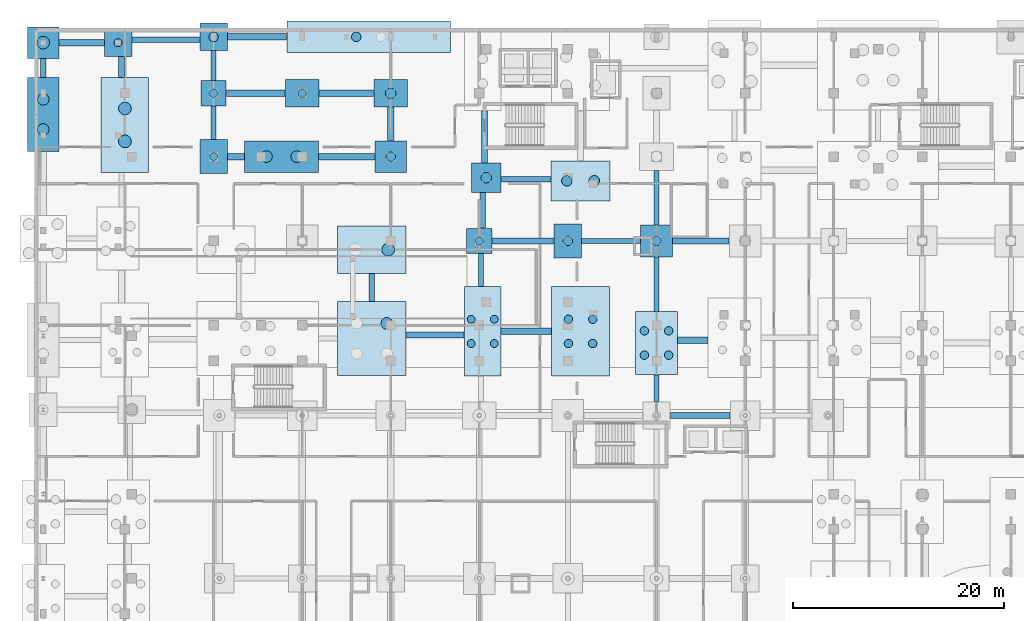
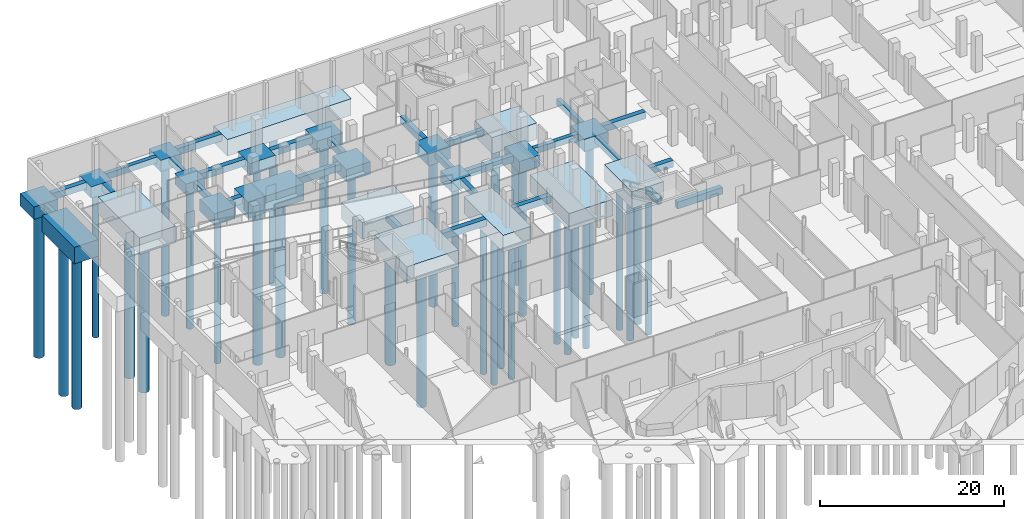
# One storey, part 4 of 45: 49 footings, 35 piles.
"""IFC4 building model written with IfcOpenShell, lengths in metres."""

from ifc_helpers import new_model, si_unit, direction, frame, origin, origin_2d, place, context, subcontext, project, spatial, rectangle, circle, extrude, material, material_profile, profile_set, type_object, element, save


model = new_model("IFC4")

# Units and contexts
model_context = context("Model", 3, precision=1e-05, world=origin(), true_north=direction((0.0, 1.0)))
body_context = subcontext(model_context, "Body", "Model", "MODEL_VIEW")
ifc_project = project(units=[si_unit("LENGTHUNIT", "METRE"), si_unit("AREAUNIT", "SQUARE_METRE"), si_unit("VOLUMEUNIT", "CUBIC_METRE"), si_unit("PLANEANGLEUNIT", "RADIAN"), si_unit("MASSUNIT", "GRAM", prefix="KILO")], contexts=[model_context])

# Site, building, storey
site_placement = place(None, origin())
site = spatial("IfcSite", under=ifc_project, at=site_placement, CompositionType="ELEMENT")
building_placement = place(site_placement, origin())
building = spatial("IfcBuilding", under=site, at=building_placement, Name="Selatvlak General Hospital", CompositionType="ELEMENT")
storey_placement = place(building_placement, frame((0.0, 0.0, -4.800048828125)))
storey = spatial("IfcBuildingStorey", under=building, at=storey_placement, Name="B1", CompositionType="ELEMENT", Elevation=-4.800048828125)

# Footings
ifc_material_1 = material(Name="Concrete C40/50", Category="concrete")
footing_type_1 = type_object("IfcFootingType", Name="FTG-PC-01", PredefinedType="PILE_CAP", material=ifc_material_1)
for number, where, z_axis, x_axis, name in (
    (1, (22.800048828125, 114.0, -1.39990234375), (0.0, 0.0, 1.0), (1.0, 0.0, 0.0), "Pile cap CAP-024"),
    (2, (48.0, 100.0, -1.39990234375), (0.0, 0.0, 1.0), (1.0, 0.0, 0.0), "Pile cap CAP-054"),
):
    element("IfcFooting", number, at=place(storey_placement, frame(where, z_axis=z_axis, x_axis=x_axis)), inside=storey, type_object=footing_type_1, Name=name, PredefinedType="PILE_CAP", context=body_context, shape_type="SweptSolid", body=[
        extrude(rectangle(XDim=2.39990234375, YDim=2.39990234375, at=origin_2d()), origin(), (0.0, 0.0, 1.0), 1.39990234375),
    ])
footing_type_2 = type_object("IfcFootingType", Name="FTG-PC-02", PredefinedType="PILE_CAP", material=ifc_material_1)
for number, where, z_axis, x_axis, name in (
    (3, (13.75, 118.800048828125, -1.5), (0.0, 0.0, 1.0), (1.0, 0.0, 0.0), "Pile cap CAP-013"),
    (4, (22.800048828125, 119.35009765625, -1.5), (0.0, 0.0, 1.0), (1.0, 0.0, 0.0), "Pile cap CAP-025"),
):
    element("IfcFooting", number, at=place(storey_placement, frame(where, z_axis=z_axis, x_axis=x_axis)), inside=storey, type_object=footing_type_2, Name=name, PredefinedType="PILE_CAP", context=body_context, shape_type="SweptSolid", body=[
        extrude(rectangle(XDim=2.60009765625, YDim=2.60009765625, at=origin_2d()), origin(), (0.0, 0.0, 1.0), 1.5),
    ])
footing_type_3 = type_object("IfcFootingType", Name="FTG-PC-03", PredefinedType="PILE_CAP", material=ifc_material_1)
footing_1_placement = place(storey_placement, frame((48.64990234375, 106.0, -1.60009765625), z_axis=(0.0, 0.0, 1.0), x_axis=(1.0, 0.0, 0.0)))
element("IfcFooting", 5, at=footing_1_placement, inside=storey, type_object=footing_type_3, Name="Pile cap CAP-056", PredefinedType="PILE_CAP", context=body_context, shape_type="SweptSolid", body=[
    extrude(rectangle(XDim=2.800048828125, YDim=2.800048828125, at=origin_2d()), origin(), (0.0, 0.0, 1.0), 1.60009765625),
])
footing_type_4 = type_object("IfcFootingType", Name="FTG-PC-04", PredefinedType="PILE_CAP", material=ifc_material_1)
for number, where, z_axis, x_axis, name in (
    (6, (6.64990234375, 118.800048828125, -1.64990234375), (0.0, 0.0, 1.0), (1.0, 0.0, 0.0), "Pile cap CAP-009"),
    (7, (39.60009765625, 108.0, -1.64990234375), (0.0, 0.0, 1.0), (1.0, 0.0, 0.0), "Pile cap CAP-045"),
    (8, (64.800048828125, 100.0, -1.64990234375), (0.0, 0.0, 1.0), (1.0, 0.0, 0.0), "Pile cap CAP-075"),
):
    element("IfcFooting", number, at=place(storey_placement, frame(where, z_axis=z_axis, x_axis=x_axis)), inside=storey, type_object=footing_type_4, Name=name, PredefinedType="PILE_CAP", context=body_context, shape_type="SweptSolid", body=[
        extrude(rectangle(XDim=3.0, YDim=3.0, at=origin_2d()), origin(), (0.0, 0.0, 1.0), 1.64990234375),
    ])
footing_type_5 = type_object("IfcFootingType", Name="FTG-PC-05", PredefinedType="PILE_CAP", material=ifc_material_1)
for number, where, z_axis, x_axis, name in (
    (9, (31.199951171875, 114.0, -1.5498046875), (0.0, 0.0, 1.0), (1.0, 0.0, 0.0), "Pile cap CAP-034"),
    (10, (39.60009765625, 114.0, -1.5498046875), (0.0, 0.0, 1.0), (1.0, 0.0, 0.0), "Pile cap CAP-046"),
):
    element("IfcFooting", number, at=place(storey_placement, frame(where, z_axis=z_axis, x_axis=x_axis)), inside=storey, type_object=footing_type_5, Name=name, PredefinedType="PILE_CAP", context=body_context, shape_type="SweptSolid", body=[
        extrude(rectangle(XDim=3.199951171875, YDim=2.60009765625, at=origin_2d()), origin(), (0.0, 0.0, 1.0), 1.550048828125),
    ])
footing_type_6 = type_object("IfcFootingType", Name="FTG-PC-06", PredefinedType="PILE_CAP", material=ifc_material_1)
for number, where, z_axis, x_axis, name in (
    (11, (22.800048828125, 108.0, -1.5498046875), (0.0, 0.0, 1.0), (1.0, 0.0, 0.0), "Pile cap CAP-023"),
    (12, (56.39990234375, 100.0, -1.5498046875), (0.0, 0.0, 1.0), (1.0, 0.0, 0.0), "Pile cap CAP-065"),
):
    element("IfcFooting", number, at=place(storey_placement, frame(where, z_axis=z_axis, x_axis=x_axis)), inside=storey, type_object=footing_type_6, Name=name, PredefinedType="PILE_CAP", context=body_context, shape_type="SweptSolid", body=[
        extrude(rectangle(XDim=2.60009765625, YDim=3.199951171875, at=origin_2d()), origin(), (0.0, 0.0, 1.0), 1.550048828125),
    ])
footing_type_7 = type_object("IfcFootingType", Name="FTG-PC-18", PredefinedType="PILE_CAP", material=ifc_material_1)
footing_2_placement = place(storey_placement, frame((57.60009765625, 105.699951171875, -2.14990234375), z_axis=(0.0, 0.0, 1.0), x_axis=(1.0, 0.0, 0.0)))
element("IfcFooting", 13, at=footing_2_placement, inside=storey, type_object=footing_type_7, Name="Pile cap CAP-066", PredefinedType="PILE_CAP", context=body_context, shape_type="SweptSolid", body=[
    extrude(rectangle(XDim=5.60009765625, YDim=3.800048828125, at=origin_2d()), origin(), (0.0, 0.0, 1.0), 2.14990234375),
])
footing_type_8 = type_object("IfcFootingType", Name="FTG-PC-20", PredefinedType="PILE_CAP", material=ifc_material_1)
footing_3_placement = place(storey_placement, frame((64.800048828125, 90.324951171875, -2.19970703125), z_axis=(0.0, 0.0, 1.0), x_axis=(1.0, 0.0, 0.0)))
element("IfcFooting", 14, at=footing_3_placement, inside=storey, type_object=footing_type_8, Name="Pile cap CAP-074", PredefinedType="PILE_CAP", context=body_context, shape_type="SweptSolid", body=[
    extrude(rectangle(XDim=4.0, YDim=6.0, at=origin_2d()), origin(), (0.0, 0.0, 1.0), 2.199951171875),
])
footing_type_9 = type_object("IfcFootingType", Name="FTG-PC-M08", PredefinedType="PILE_CAP", material=ifc_material_1)
footing_4_placement = place(storey_placement, frame((6.64990234375, 112.0, -2.19970703125), z_axis=(0.0, 0.0, 1.0), x_axis=(1.0, 0.0, 0.0)))
element("IfcFooting", 15, at=footing_4_placement, inside=storey, type_object=footing_type_9, Name="Pile cap CAP-008", PredefinedType="PILE_CAP", context=body_context, shape_type="SweptSolid", body=[
    extrude(rectangle(XDim=3.0, YDim=7.0, at=origin_2d()), origin(), (0.0, 0.0, 1.0), 2.199951171875),
])
footing_type_10 = type_object("IfcFootingType", Name="FTG-PC-M12", PredefinedType="PILE_CAP", material=ifc_material_1)
footing_5_placement = place(storey_placement, frame((14.39990234375, 111.0, -2.19970703125), z_axis=(0.0, 0.0, 1.0), x_axis=(1.0, 0.0, 0.0)))
element("IfcFooting", 16, at=footing_5_placement, inside=storey, type_object=footing_type_10, Name="Pile cap CAP-012", PredefinedType="PILE_CAP", context=body_context, shape_type="SweptSolid", body=[
    extrude(rectangle(XDim=4.5, YDim=9.0, at=origin_2d()), origin(), (0.0, 0.0, 1.0), 2.199951171875),
])
footing_type_11 = type_object("IfcFootingType", Name="FTG-PC-M28", PredefinedType="PILE_CAP", material=ifc_material_1)
footing_6_placement = place(storey_placement, frame((29.25, 108.0, -2.19970703125), z_axis=(0.0, 0.0, 1.0), x_axis=(1.0, 0.0, 0.0)))
element("IfcFooting", 17, at=footing_6_placement, inside=storey, type_object=footing_type_11, Name="Pile cap CAP-028", PredefinedType="PILE_CAP", context=body_context, shape_type="SweptSolid", body=[
    extrude(rectangle(XDim=7.0, YDim=3.0, at=origin_2d()), origin(), (0.0, 0.0, 1.0), 2.199951171875),
])
footing_type_12 = type_object("IfcFootingType", Name="FTG-PC-M35", PredefinedType="PILE_CAP", material=ifc_material_1)
footing_7_placement = place(storey_placement, frame((37.5, 119.35009765625, -2.19970703125), z_axis=(0.0, 0.0, 1.0), x_axis=(1.0, 0.0, 0.0)))
element("IfcFooting", 18, at=footing_7_placement, inside=storey, type_object=footing_type_12, Name="Pile cap CAP-035", PredefinedType="PILE_CAP", context=body_context, shape_type="SweptSolid", body=[
    extrude(rectangle(XDim=15.5, YDim=3.0, at=origin_2d()), origin(), (0.0, 0.0, 1.0), 2.199951171875),
])
footing_type_13 = type_object("IfcFootingType", Name="FTG-PC-M38", PredefinedType="PILE_CAP", material=ifc_material_1)
footing_8_placement = place(storey_placement, frame((37.800048828125, 90.75, -2.19970703125), z_axis=(0.0, 0.0, 1.0), x_axis=(1.0, 0.0, 0.0)))
element("IfcFooting", 19, at=footing_8_placement, inside=storey, type_object=footing_type_13, Name="Pile cap CAP-038", PredefinedType="PILE_CAP", context=body_context, shape_type="SweptSolid", body=[
    extrude(rectangle(XDim=6.5, YDim=7.0, at=origin_2d()), origin(), (0.0, 0.0, 1.0), 2.199951171875),
])
footing_type_14 = type_object("IfcFootingType", Name="FTG-PC-M39", PredefinedType="PILE_CAP", material=ifc_material_1)
footing_9_placement = place(storey_placement, frame((37.800048828125, 99.175048828125, -2.19970703125), z_axis=(0.0, 0.0, 1.0), x_axis=(1.0, 0.0, 0.0)))
element("IfcFooting", 20, at=footing_9_placement, inside=storey, type_object=footing_type_14, Name="Pile cap CAP-039", PredefinedType="PILE_CAP", context=body_context, shape_type="SweptSolid", body=[
    extrude(rectangle(XDim=6.5, YDim=4.5, at=origin_2d()), origin(), (0.0, 0.0, 1.0), 2.199951171875),
])
footing_type_15 = type_object("IfcFootingType", Name="FTG-PC-M53", PredefinedType="PILE_CAP", material=ifc_material_1)
footing_10_placement = place(storey_placement, frame((48.324951171875, 91.425048828125, -2.19970703125), z_axis=(0.0, 0.0, 1.0), x_axis=(1.0, 0.0, 0.0)))
element("IfcFooting", 21, at=footing_10_placement, inside=storey, type_object=footing_type_15, Name="Pile cap CAP-053", PredefinedType="PILE_CAP", context=body_context, shape_type="SweptSolid", body=[
    extrude(rectangle(XDim=3.5, YDim=8.5, at=origin_2d()), origin(), (0.0, 0.0, 1.0), 2.199951171875),
])
footing_type_16 = type_object("IfcFootingType", Name="FTG-PC-M64", PredefinedType="PILE_CAP", material=ifc_material_1)
footing_11_placement = place(storey_placement, frame((57.60009765625, 91.425048828125, -2.19970703125), z_axis=(0.0, 0.0, 1.0), x_axis=(1.0, 0.0, 0.0)))
element("IfcFooting", 22, at=footing_11_placement, inside=storey, type_object=footing_type_16, Name="Pile cap CAP-064", PredefinedType="PILE_CAP", context=body_context, shape_type="SweptSolid", body=[
    extrude(rectangle(XDim=5.5, YDim=8.5, at=origin_2d()), origin(), (0.0, 0.0, 1.0), 2.199951171875),
])
ifc_material_2 = material(Name="Concrete C35/45", Category="concrete")
footing_type_17 = type_object("IfcFootingType", Name="FTG-TB-05", PredefinedType="FOOTING_BEAM", material=ifc_material_2)
footing_12_placement = place(storey_placement, frame((14.074951171875, 116.5, -0.89990234375), z_axis=(0.0, 0.0, 1.0), x_axis=(0.0, 1.0, 0.0)))
element("IfcFooting", 23, at=footing_12_placement, inside=storey, type_object=footing_type_17, Name="Foundation tie beam TBF-019", PredefinedType="FOOTING_BEAM", context=body_context, shape_type="SweptSolid", body=[
    extrude(rectangle(XDim=1.97998046875, YDim=0.60009765625, at=origin_2d()), origin(), (0.0, 0.0, 1.0), 0.89990234375),
])
footing_type_18 = type_object("IfcFootingType", Name="FTG-TB-12", PredefinedType="FOOTING_BEAM", material=ifc_material_2)
footing_13_placement = place(storey_placement, frame((6.64990234375, 116.39990234375, -0.7998046875), z_axis=(0.0, 0.0, 1.0), x_axis=(0.0, 1.0, 0.0)))
element("IfcFooting", 24, at=footing_13_placement, inside=storey, type_object=footing_type_18, Name="Foundation tie beam TBF-014", PredefinedType="FOOTING_BEAM", context=body_context, shape_type="SweptSolid", body=[
    extrude(rectangle(XDim=1.780029296875, YDim=0.5, at=origin_2d()), origin(), (0.0, 0.0, 1.0), 0.800048828125),
])
footing_type_19 = type_object("IfcFootingType", Name="FTG-TB-13", PredefinedType="FOOTING_BEAM", material=ifc_material_2)
footing_14_placement = place(storey_placement, frame((10.300048828125, 118.800048828125, -0.89990234375), z_axis=(0.0, 0.0, 1.0), x_axis=(1.0, 0.0, 0.0)))
element("IfcFooting", 25, at=footing_14_placement, inside=storey, type_object=footing_type_19, Name="Foundation tie beam TBF-015", PredefinedType="FOOTING_BEAM", context=body_context, shape_type="SweptSolid", body=[
    extrude(rectangle(XDim=4.280029296875, YDim=0.60009765625, at=origin_2d()), origin(), (0.0, 0.0, 1.0), 0.89990234375),
])
footing_type_20 = type_object("IfcFootingType", Name="FTG-TB-17", PredefinedType="FOOTING_BEAM", material=ifc_material_2)
footing_15_placement = place(storey_placement, frame((18.27490234375, 119.074951171875, -0.7998046875), z_axis=(0.0, 0.0, 1.0), x_axis=(1.0, 0.0, 0.0)))
element("IfcFooting", 26, at=footing_15_placement, inside=storey, type_object=footing_type_20, Name="Foundation tie beam TBF-020", PredefinedType="FOOTING_BEAM", context=body_context, shape_type="SweptSolid", body=[
    extrude(rectangle(XDim=6.429931640625, YDim=0.5, at=origin_2d()), origin(), (0.0, 0.0, 1.0), 0.800048828125),
])
footing_type_21 = type_object("IfcFootingType", Name="FTG-TB-22", PredefinedType="FOOTING_BEAM", material=ifc_material_2)
footing_16_placement = place(storey_placement, frame((24.925048828125, 108.0, -0.89990234375), z_axis=(0.0, 0.0, 1.0), x_axis=(1.0, 0.0, 0.0)))
element("IfcFooting", 27, at=footing_16_placement, inside=storey, type_object=footing_type_21, Name="Foundation tie beam TBF-027", PredefinedType="FOOTING_BEAM", context=body_context, shape_type="SweptSolid", body=[
    extrude(rectangle(XDim=1.6298828125, YDim=0.60009765625, at=origin_2d()), origin(), (0.0, 0.0, 1.0), 0.89990234375),
])
footing_type_22 = type_object("IfcFootingType", Name="FTG-TB-23", PredefinedType="FOOTING_BEAM", material=ifc_material_2)
footing_17_placement = place(storey_placement, frame((22.800048828125, 111.199951171875, -0.7998046875), z_axis=(0.0, 0.0, 1.0), x_axis=(0.0, 1.0, 0.0)))
element("IfcFooting", 28, at=footing_17_placement, inside=storey, type_object=footing_type_22, Name="Foundation tie beam TBF-028", PredefinedType="FOOTING_BEAM", context=body_context, shape_type="SweptSolid", body=[
    extrude(rectangle(XDim=3.179931640625, YDim=0.5, at=origin_2d()), origin(), (0.0, 0.0, 1.0), 0.800048828125),
])
footing_type_23 = type_object("IfcFootingType", Name="FTG-TB-24", PredefinedType="FOOTING_BEAM", material=ifc_material_2)
footing_18_placement = place(storey_placement, frame((26.800048828125, 114.0, -0.89990234375), z_axis=(0.0, 0.0, 1.0), x_axis=(1.0, 0.0, 0.0)))
element("IfcFooting", 29, at=footing_18_placement, inside=storey, type_object=footing_type_23, Name="Foundation tie beam TBF-029", PredefinedType="FOOTING_BEAM", context=body_context, shape_type="SweptSolid", body=[
    extrude(rectangle(XDim=5.580078125, YDim=0.60009765625, at=origin_2d()), origin(), (0.0, 0.0, 1.0), 0.89990234375),
])
footing_type_24 = type_object("IfcFootingType", Name="FTG-TB-25", PredefinedType="FOOTING_BEAM", material=ifc_material_2)
footing_19_placement = place(storey_placement, frame((22.800048828125, 116.625, -0.7998046875), z_axis=(0.0, 0.0, 1.0), x_axis=(0.0, 1.0, 0.0)))
element("IfcFooting", 30, at=footing_19_placement, inside=storey, type_object=footing_type_24, Name="Foundation tie beam TBF-030", PredefinedType="FOOTING_BEAM", context=body_context, shape_type="SweptSolid", body=[
    extrude(rectangle(XDim=2.830078125, YDim=0.5, at=origin_2d()), origin(), (0.0, 0.0, 1.0), 0.800048828125),
])
footing_type_25 = type_object("IfcFootingType", Name="FTG-TB-26", PredefinedType="FOOTING_BEAM", material=ifc_material_2)
footing_20_placement = place(storey_placement, frame((26.925048828125, 119.35009765625, -0.89990234375), z_axis=(0.0, 0.0, 1.0), x_axis=(1.0, 0.0, 0.0)))
element("IfcFooting", 31, at=footing_20_placement, inside=storey, type_object=footing_type_25, Name="Foundation tie beam TBF-031", PredefinedType="FOOTING_BEAM", context=body_context, shape_type="SweptSolid", body=[
    extrude(rectangle(XDim=5.6298828125, YDim=0.60009765625, at=origin_2d()), origin(), (0.0, 0.0, 1.0), 0.89990234375),
])
footing_type_26 = type_object("IfcFootingType", Name="FTG-TB-30", PredefinedType="FOOTING_BEAM", material=ifc_material_2)
footing_21_placement = place(storey_placement, frame((35.425048828125, 108.0, -0.89990234375), z_axis=(0.0, 0.0, 1.0), x_axis=(1.0, 0.0, 0.0)))
element("IfcFooting", 32, at=footing_21_placement, inside=storey, type_object=footing_type_26, Name="Foundation tie beam TBF-035", PredefinedType="FOOTING_BEAM", context=body_context, shape_type="SweptSolid", body=[
    extrude(rectangle(XDim=5.330078125, YDim=0.60009765625, at=origin_2d()), origin(), (0.0, 0.0, 1.0), 0.89990234375),
])
footing_type_27 = type_object("IfcFootingType", Name="FTG-TB-34", PredefinedType="FOOTING_BEAM", material=ifc_material_2)
footing_22_placement = place(storey_placement, frame((60.5, 100.0, -0.7998046875), z_axis=(0.0, 0.0, 1.0), x_axis=(1.0, 0.0, 0.0)))
element("IfcFooting", 33, at=footing_22_placement, inside=storey, type_object=footing_type_27, Name="Foundation tie beam TBF-076", PredefinedType="FOOTING_BEAM", context=body_context, shape_type="SweptSolid", body=[
    extrude(rectangle(XDim=5.580078125, YDim=0.5, at=origin_2d()), origin(), (0.0, 0.0, 1.0), 0.800048828125),
])
footing_type_28 = type_object("IfcFootingType", Name="FTG-TB-35", PredefinedType="FOOTING_BEAM", material=ifc_material_2)
footing_23_placement = place(storey_placement, frame((35.39990234375, 114.0, -0.89990234375), z_axis=(0.0, 0.0, 1.0), x_axis=(1.0, 0.0, 0.0)))
element("IfcFooting", 34, at=footing_23_placement, inside=storey, type_object=footing_type_28, Name="Foundation tie beam TBF-041", PredefinedType="FOOTING_BEAM", context=body_context, shape_type="SweptSolid", body=[
    extrude(rectangle(XDim=5.179931640625, YDim=0.60009765625, at=origin_2d()), origin(), (0.0, 0.0, 1.0), 0.89990234375),
])
footing_type_29 = type_object("IfcFootingType", Name="FTG-TB-37", PredefinedType="FOOTING_BEAM", material=ifc_material_2)
footing_24_placement = place(storey_placement, frame((43.81201171875, 91.087890625, -0.89990234375), z_axis=(0.0, 0.0, 1.0), x_axis=(1.0, 0.0, 0.0)))
element("IfcFooting", 35, at=footing_24_placement, inside=storey, type_object=footing_type_29, Name="Foundation tie beam TBF-043", PredefinedType="FOOTING_BEAM", context=body_context, shape_type="SweptSolid", body=[
    extrude(rectangle(XDim=5.5048828125, YDim=0.60009765625, at=origin_2d()), origin(), (0.0, 0.0, 1.0), 0.89990234375),
])
footing_type_30 = type_object("IfcFootingType", Name="FTG-TB-38", PredefinedType="FOOTING_BEAM", material=ifc_material_2)
footing_25_placement = place(storey_placement, frame((37.800048828125, 95.587890625, -0.7998046875), z_axis=(0.0, 0.0, 1.0), x_axis=(0.0, 1.0, 0.0)))
element("IfcFooting", 36, at=footing_25_placement, inside=storey, type_object=footing_type_30, Name="Foundation tie beam TBF-044", PredefinedType="FOOTING_BEAM", context=body_context, shape_type="SweptSolid", body=[
    extrude(rectangle(XDim=2.655029296875, YDim=0.5, at=origin_2d()), origin(), (0.0, 0.0, 1.0), 0.800048828125),
])
footing_type_31 = type_object("IfcFootingType", Name="FTG-TB-41", PredefinedType="FOOTING_BEAM", material=ifc_material_2)
footing_26_placement = place(storey_placement, frame((39.60009765625, 111.10009765625, -0.89990234375), z_axis=(0.0, 0.0, 1.0), x_axis=(0.0, 1.0, 0.0)))
element("IfcFooting", 37, at=footing_26_placement, inside=storey, type_object=footing_type_31, Name="Foundation tie beam TBF-051", PredefinedType="FOOTING_BEAM", context=body_context, shape_type="SweptSolid", body=[
    extrude(rectangle(XDim=3.179931640625, YDim=0.60009765625, at=origin_2d()), origin(), (0.0, 0.0, 1.0), 0.89990234375),
])
footing_type_32 = type_object("IfcFootingType", Name="FTG-TB-43", PredefinedType="FOOTING_BEAM", material=ifc_material_2)
footing_27_placement = place(storey_placement, frame((68.949951171875, 83.449951171875, -0.89990234375), z_axis=(0.0, 0.0, 1.0), x_axis=(1.0, 0.0, 0.0)))
element("IfcFooting", 38, at=footing_27_placement, inside=storey, type_object=footing_type_32, Name="Foundation tie beam TBF-083", PredefinedType="FOOTING_BEAM", context=body_context, shape_type="SweptSolid", body=[
    extrude(rectangle(XDim=5.679931640625, YDim=0.60009765625, at=origin_2d()), origin(), (0.0, 0.0, 1.0), 0.89990234375),
])
footing_type_33 = type_object("IfcFootingType", Name="FTG-TB-49", PredefinedType="FOOTING_BEAM", material=ifc_material_2)
footing_28_placement = place(storey_placement, frame((52.462890625, 91.425048828125, -0.89990234375), z_axis=(0.0, 0.0, 1.0), x_axis=(1.0, 0.0, 0.0)))
element("IfcFooting", 39, at=footing_28_placement, inside=storey, type_object=footing_type_33, Name="Foundation tie beam TBF-059", PredefinedType="FOOTING_BEAM", context=body_context, shape_type="SweptSolid", body=[
    extrude(rectangle(XDim=4.7548828125, YDim=0.60009765625, at=origin_2d()), origin(), (0.0, 0.0, 1.0), 0.89990234375),
])
footing_type_34 = type_object("IfcFootingType", Name="FTG-TB-50", PredefinedType="FOOTING_BEAM", material=ifc_material_2)
footing_29_placement = place(storey_placement, frame((48.1630859375, 97.237060546875, -0.7998046875), z_axis=(0.0, 0.0, 1.0), x_axis=(0.0, 1.0, 0.0)))
element("IfcFooting", 40, at=footing_29_placement, inside=storey, type_object=footing_type_34, Name="Foundation tie beam TBF-060", PredefinedType="FOOTING_BEAM", context=body_context, shape_type="SweptSolid", body=[
    extrude(rectangle(XDim=3.10498046875, YDim=0.5, at=origin_2d()), origin(), (0.0, 0.0, 1.0), 0.800048828125),
])
footing_type_35 = type_object("IfcFootingType", Name="FTG-TB-51", PredefinedType="FOOTING_BEAM", material=ifc_material_2)
footing_30_placement = place(storey_placement, frame((52.14990234375, 100.0, -0.89990234375), z_axis=(0.0, 0.0, 1.0), x_axis=(1.0, 0.0, 0.0)))
element("IfcFooting", 41, at=footing_30_placement, inside=storey, type_object=footing_type_35, Name="Foundation tie beam TBF-061", PredefinedType="FOOTING_BEAM", context=body_context, shape_type="SweptSolid", body=[
    extrude(rectangle(XDim=5.8798828125, YDim=0.60009765625, at=origin_2d()), origin(), (0.0, 0.0, 1.0), 0.89990234375),
])
footing_type_36 = type_object("IfcFootingType", Name="FTG-TB-52", PredefinedType="FOOTING_BEAM", material=ifc_material_2)
footing_31_placement = place(storey_placement, frame((48.324951171875, 102.89990234375, -0.7998046875), z_axis=(0.0, 0.0, 1.0), x_axis=(0.0, 1.0, 0.0)))
element("IfcFooting", 42, at=footing_31_placement, inside=storey, type_object=footing_type_36, Name="Foundation tie beam TBF-062", PredefinedType="FOOTING_BEAM", context=body_context, shape_type="SweptSolid", body=[
    extrude(rectangle(XDim=3.3798828125, YDim=0.5, at=origin_2d()), origin(), (0.0, 0.0, 1.0), 0.800048828125),
])
footing_type_37 = type_object("IfcFootingType", Name="FTG-TB-53", PredefinedType="FOOTING_BEAM", material=ifc_material_2)
footing_32_placement = place(storey_placement, frame((52.425048828125, 105.85009765625, -0.7998046875), z_axis=(0.0, 0.0, 1.0), x_axis=(1.0, 0.0, 0.0)))
element("IfcFooting", 43, at=footing_32_placement, inside=storey, type_object=footing_type_37, Name="Foundation tie beam TBF-064", PredefinedType="FOOTING_BEAM", context=body_context, shape_type="SweptSolid", body=[
    extrude(rectangle(XDim=4.72998046875, YDim=0.5, at=origin_2d()), origin(), (0.0, 0.0, 1.0), 0.800048828125),
])
footing_type_38 = type_object("IfcFootingType", Name="FTG-TB-54", PredefinedType="FOOTING_BEAM", material=ifc_material_2)
footing_33_placement = place(storey_placement, frame((48.487060546875, 109.875, -0.89990234375), z_axis=(0.0, 0.0, 1.0), x_axis=(0.0, 1.0, 0.0)))
element("IfcFooting", 44, at=footing_33_placement, inside=storey, type_object=footing_type_38, Name="Foundation tie beam TBF-065", PredefinedType="FOOTING_BEAM", context=body_context, shape_type="SweptSolid", body=[
    extrude(rectangle(XDim=4.929931640625, YDim=0.60009765625, at=origin_2d()), origin(), (0.0, 0.0, 1.0), 0.89990234375),
])
footing_type_39 = type_object("IfcFootingType", Name="FTG-TB-65", PredefinedType="FOOTING_BEAM", material=ifc_material_2)
footing_34_placement = place(storey_placement, frame((64.800048828125, 86.037109375, -0.7998046875), z_axis=(0.0, 0.0, 1.0), x_axis=(0.0, 1.0, 0.0)))
element("IfcFooting", 45, at=footing_34_placement, inside=storey, type_object=footing_type_39, Name="Foundation tie beam TBF-084", PredefinedType="FOOTING_BEAM", context=body_context, shape_type="SweptSolid", body=[
    extrude(rectangle(XDim=2.554931640625, YDim=0.5, at=origin_2d()), origin(), (0.0, 0.0, 1.0), 0.800048828125),
])
footing_type_40 = type_object("IfcFootingType", Name="FTG-TB-66", PredefinedType="FOOTING_BEAM", material=ifc_material_2)
footing_35_placement = place(storey_placement, frame((68.25, 90.574951171875, -0.89990234375), z_axis=(0.0, 0.0, 1.0), x_axis=(1.0, 0.0, 0.0)))
element("IfcFooting", 46, at=footing_35_placement, inside=storey, type_object=footing_type_40, Name="Foundation tie beam TBF-085", PredefinedType="FOOTING_BEAM", context=body_context, shape_type="SweptSolid", body=[
    extrude(rectangle(XDim=2.8798828125, YDim=0.60009765625, at=origin_2d()), origin(), (0.0, 0.0, 1.0), 0.89990234375),
])
footing_type_41 = type_object("IfcFootingType", Name="FTG-TB-67", PredefinedType="FOOTING_BEAM", material=ifc_material_2)
footing_36_placement = place(storey_placement, frame((64.800048828125, 95.912109375, -0.7998046875), z_axis=(0.0, 0.0, 1.0), x_axis=(0.0, 1.0, 0.0)))
element("IfcFooting", 47, at=footing_36_placement, inside=storey, type_object=footing_type_41, Name="Foundation tie beam TBF-086", PredefinedType="FOOTING_BEAM", context=body_context, shape_type="SweptSolid", body=[
    extrude(rectangle(XDim=5.155029296875, YDim=0.5, at=origin_2d()), origin(), (0.0, 0.0, 1.0), 0.800048828125),
])
footing_type_42 = type_object("IfcFootingType", Name="FTG-TB-68", PredefinedType="FOOTING_BEAM", material=ifc_material_2)
footing_37_placement = place(storey_placement, frame((69.0, 100.0, -0.89990234375), z_axis=(0.0, 0.0, 1.0), x_axis=(1.0, 0.0, 0.0)))
element("IfcFooting", 48, at=footing_37_placement, inside=storey, type_object=footing_type_42, Name="Foundation tie beam TBF-087", PredefinedType="FOOTING_BEAM", context=body_context, shape_type="SweptSolid", body=[
    extrude(rectangle(XDim=5.3798828125, YDim=0.60009765625, at=origin_2d()), origin(), (0.0, 0.0, 1.0), 0.89990234375),
])
footing_type_43 = type_object("IfcFootingType", Name="FTG-TB-69", PredefinedType="FOOTING_BEAM", material=ifc_material_2)
footing_38_placement = place(storey_placement, frame((64.800048828125, 104.10009765625, -0.7998046875), z_axis=(0.0, 0.0, 1.0), x_axis=(0.0, 1.0, 0.0)))
element("IfcFooting", 49, at=footing_38_placement, inside=storey, type_object=footing_type_43, Name="Foundation tie beam TBF-088", PredefinedType="FOOTING_BEAM", context=body_context, shape_type="SweptSolid", body=[
    extrude(rectangle(XDim=5.179931640625, YDim=0.5, at=origin_2d()), origin(), (0.0, 0.0, 1.0), 0.800048828125),
])

# Piles
ifc_material_profile_1 = material_profile(ifc_material_1, circle(Radius=0.60009765625, at=origin_2d()), Name="BORED PILE 1200")
ifc_profile_set_1 = profile_set([ifc_material_profile_1], Name="Concrete C40/50")
pile_type_1 = type_object("IfcPileType", Name="PILE-BP-03", PredefinedType="BORED", material=ifc_profile_set_1)
for number, where, z_axis, x_axis, name in (
    (50, (14.39990234375, 109.43994140625, -2.099853515625), (0.0, 0.0, -1.0), (1.0, 0.0, 0.0), "Bored pile PLF-0032"),
    (51, (14.39990234375, 112.56005859375, -2.099853515625), (0.0, 0.0, -1.0), (1.0, 0.0, 0.0), "Bored pile PLF-0033"),
):
    element("IfcPile", number, at=place(storey_placement, frame(where, z_axis=z_axis, x_axis=x_axis)), inside=storey, type_object=pile_type_1, Name=name, PredefinedType="BORED", context=body_context, shape_type="SweptSolid", body=[
        extrude(circle(Radius=0.60009765625, at=origin_2d()), origin(), (0.0, 0.0, 1.0), 20.60009765625),
    ])
ifc_material_profile_2 = material_profile(ifc_material_1, circle(Radius=0.375, at=origin_2d()), Name="BORED PILE 750")
ifc_profile_set_2 = profile_set([ifc_material_profile_2], Name="Concrete C40/50")
pile_type_2 = type_object("IfcPileType", Name="PILE-BP-04", PredefinedType="BORED", material=ifc_profile_set_2)
for number, where, z_axis, x_axis, name in (
    (52, (13.75, 118.800048828125, -1.39990234375), (0.0, 0.0, -1.0), (1.0, 0.0, 0.0), "Bored pile PLF-0034"),
    (53, (22.800048828125, 108.0, -1.449951171875), (0.0, 0.0, -1.0), (1.0, 0.0, 0.0), "Bored pile PLF-0057"),
    (54, (47.22998046875, 90.27490234375, -2.099853515625), (0.0, 0.0, -1.0), (1.0, 0.0, 0.0), "Bored pile PLF-0097"),
    (55, (47.22998046875, 92.574951171875, -2.099853515625), (0.0, 0.0, -1.0), (1.0, 0.0, 0.0), "Bored pile PLF-0098"),
    (56, (49.419921875, 90.27490234375, -2.099853515625), (0.0, 0.0, -1.0), (1.0, 0.0, 0.0), "Bored pile PLF-0099"),
    (57, (49.419921875, 92.574951171875, -2.099853515625), (0.0, 0.0, -1.0), (1.0, 0.0, 0.0), "Bored pile PLF-0100"),
):
    element("IfcPile", number, at=place(storey_placement, frame(where, z_axis=z_axis, x_axis=x_axis)), inside=storey, type_object=pile_type_2, Name=name, PredefinedType="BORED", context=body_context, shape_type="SweptSolid", body=[
        extrude(circle(Radius=0.375, at=origin_2d()), origin(), (0.0, 0.0, 1.0), 19.60009765625),
    ])
ifc_material_profile_3 = material_profile(ifc_material_1, circle(Radius=0.39990234375, at=origin_2d()), Name="BORED PILE 800")
ifc_profile_set_3 = profile_set([ifc_material_profile_3], Name="Concrete C40/50")
pile_type_3 = type_object("IfcPileType", Name="PILE-BP-05", PredefinedType="BORED", material=ifc_profile_set_3)
for number, where, z_axis, x_axis, name in (
    (58, (22.800048828125, 114.0, -1.300048828125), (0.0, 0.0, -1.0), (1.0, 0.0, 0.0), "Bored pile PLF-0058"),
    (59, (31.199951171875, 114.0, -1.449951171875), (0.0, 0.0, -1.0), (1.0, 0.0, 0.0), "Bored pile PLF-0069"),
    (60, (48.0, 100.0, -1.300048828125), (0.0, 0.0, -1.0), (1.0, 0.0, 0.0), "Bored pile PLF-0101"),
    (61, (56.449951171875, 90.27490234375, -2.099853515625), (0.0, 0.0, -1.0), (1.0, 0.0, 0.0), "Bored pile PLF-0112"),
    (62, (56.449951171875, 92.574951171875, -2.099853515625), (0.0, 0.0, -1.0), (1.0, 0.0, 0.0), "Bored pile PLF-0113"),
    (63, (58.75, 90.27490234375, -2.099853515625), (0.0, 0.0, -1.0), (1.0, 0.0, 0.0), "Bored pile PLF-0114"),
    (64, (58.75, 92.574951171875, -2.099853515625), (0.0, 0.0, -1.0), (1.0, 0.0, 0.0), "Bored pile PLF-0115"),
    (65, (63.64990234375, 89.175048828125, -2.099853515625), (0.0, 0.0, -1.0), (1.0, 0.0, 0.0), "Bored pile PLF-0132"),
    (66, (63.64990234375, 91.47509765625, -2.099853515625), (0.0, 0.0, -1.0), (1.0, 0.0, 0.0), "Bored pile PLF-0133"),
    (67, (65.949951171875, 89.175048828125, -2.099853515625), (0.0, 0.0, -1.0), (1.0, 0.0, 0.0), "Bored pile PLF-0134"),
    (68, (65.949951171875, 91.47509765625, -2.099853515625), (0.0, 0.0, -1.0), (1.0, 0.0, 0.0), "Bored pile PLF-0135"),
):
    element("IfcPile", number, at=place(storey_placement, frame(where, z_axis=z_axis, x_axis=x_axis)), inside=storey, type_object=pile_type_3, Name=name, PredefinedType="BORED", context=body_context, shape_type="SweptSolid", body=[
        extrude(circle(Radius=0.39990234375, at=origin_2d()), origin(), (0.0, 0.0, 1.0), 18.800048828125),
    ])
ifc_material_profile_4 = material_profile(ifc_material_1, circle(Radius=0.449951171875, at=origin_2d()), Name="BORED PILE 900")
ifc_profile_set_4 = profile_set([ifc_material_profile_4], Name="Concrete C40/50")
pile_type_4 = type_object("IfcPileType", Name="PILE-BP-06", PredefinedType="BORED", material=ifc_profile_set_4)
for number, where, z_axis, x_axis, name in (
    (69, (22.800048828125, 119.35009765625, -1.39990234375), (0.0, 0.0, -1.0), (1.0, 0.0, 0.0), "Bored pile PLF-0059"),
    (70, (36.330078125, 119.35009765625, -2.099853515625), (0.0, 0.0, -1.0), (1.0, 0.0, 0.0), "Bored pile PLF-0070"),
    (71, (39.60009765625, 108.0, -1.550048828125), (0.0, 0.0, -1.0), (1.0, 0.0, 0.0), "Bored pile PLF-0088"),
    (72, (56.39990234375, 100.0, -1.449951171875), (0.0, 0.0, -1.0), (1.0, 0.0, 0.0), "Bored pile PLF-0116"),
    (73, (64.800048828125, 100.0, -1.550048828125), (0.0, 0.0, -1.0), (1.0, 0.0, 0.0), "Bored pile PLF-0136"),
):
    element("IfcPile", number, at=place(storey_placement, frame(where, z_axis=z_axis, x_axis=x_axis)), inside=storey, type_object=pile_type_4, Name=name, PredefinedType="BORED", context=body_context, shape_type="SweptSolid", body=[
        extrude(circle(Radius=0.449951171875, at=origin_2d()), origin(), (0.0, 0.0, 1.0), 20.199951171875),
    ])
ifc_material_profile_5 = material_profile(ifc_material_1, circle(Radius=0.5, at=origin_2d()), Name="BORED PILE 1000")
ifc_profile_set_5 = profile_set([ifc_material_profile_5], Name="Concrete C40/50")
pile_type_5 = type_object("IfcPileType", Name="PILE-BP-07", PredefinedType="BORED", material=ifc_profile_set_5)
for number, where, z_axis, x_axis, name in (
    (74, (39.60009765625, 114.0, -1.449951171875), (0.0, 0.0, -1.0), (1.0, 0.0, 0.0), "Bored pile PLF-0089"),
    (75, (48.64990234375, 106.0, -1.5), (0.0, 0.0, -1.0), (1.0, 0.0, 0.0), "Bored pile PLF-0104"),
    (76, (56.300048828125, 105.699951171875, -2.050048828125), (0.0, 0.0, -1.0), (1.0, 0.0, 0.0), "Bored pile PLF-0117"),
    (77, (58.89990234375, 105.699951171875, -2.050048828125), (0.0, 0.0, -1.0), (1.0, 0.0, 0.0), "Bored pile PLF-0118"),
):
    element("IfcPile", number, at=place(storey_placement, frame(where, z_axis=z_axis, x_axis=x_axis)), inside=storey, type_object=pile_type_5, Name=name, PredefinedType="BORED", context=body_context, shape_type="SweptSolid", body=[
        extrude(circle(Radius=0.5, at=origin_2d()), origin(), (0.0, 0.0, 1.0), 19.800048828125),
    ])
ifc_material_profile_6 = material_profile(ifc_material_1, circle(Radius=0.550048828125, at=origin_2d()), Name="BORED PILE 1100")
ifc_profile_set_6 = profile_set([ifc_material_profile_6], Name="Concrete C40/50")
pile_type_6 = type_object("IfcPileType", Name="PILE-BP-09", PredefinedType="BORED", material=ifc_profile_set_6)
for number, where, z_axis, x_axis, name in (
    (78, (6.64990234375, 110.570068359375, -2.099853515625), (0.0, 0.0, -1.0), (1.0, 0.0, 0.0), "Bored pile PLF-0021"),
    (79, (6.64990234375, 113.429931640625, -2.099853515625), (0.0, 0.0, -1.0), (1.0, 0.0, 0.0), "Bored pile PLF-0022"),
    (80, (27.820068359375, 108.0, -2.099853515625), (0.0, 0.0, -1.0), (1.0, 0.0, 0.0), "Bored pile PLF-0062"),
    (81, (30.679931640625, 108.0, -2.099853515625), (0.0, 0.0, -1.0), (1.0, 0.0, 0.0), "Bored pile PLF-0063"),
    (82, (39.22998046875, 92.179931640625, -2.099853515625), (0.0, 0.0, -1.0), (1.0, 0.0, 0.0), "Bored pile PLF-0077"),
):
    element("IfcPile", number, at=place(storey_placement, frame(where, z_axis=z_axis, x_axis=x_axis)), inside=storey, type_object=pile_type_6, Name=name, PredefinedType="BORED", context=body_context, shape_type="SweptSolid", body=[
        extrude(circle(Radius=0.550048828125, at=origin_2d()), origin(), (0.0, 0.0, 1.0), 20.800048828125),
    ])
ifc_material_profile_7 = material_profile(ifc_material_1, circle(Radius=0.60009765625, at=origin_2d()), Name="BORED PILE 1200")
ifc_profile_set_7 = profile_set([ifc_material_profile_7], Name="Concrete C40/50")
pile_type_7 = type_object("IfcPileType", Name="PILE-BP-10", PredefinedType="BORED", material=ifc_profile_set_7)
for number, where, z_axis, x_axis, name in (
    (83, (6.64990234375, 118.800048828125, -1.550048828125), (0.0, 0.0, -1.0), (1.0, 0.0, 0.0), "Bored pile PLF-0023"),
    (84, (39.360107421875, 99.175048828125, -2.099853515625), (0.0, 0.0, -1.0), (1.0, 0.0, 0.0), "Bored pile PLF-0079"),
):
    element("IfcPile", number, at=place(storey_placement, frame(where, z_axis=z_axis, x_axis=x_axis)), inside=storey, type_object=pile_type_7, Name=name, PredefinedType="BORED", context=body_context, shape_type="SweptSolid", body=[
        extrude(circle(Radius=0.60009765625, at=origin_2d()), origin(), (0.0, 0.0, 1.0), 19.5),
    ])

save(model, "model.ifc")
